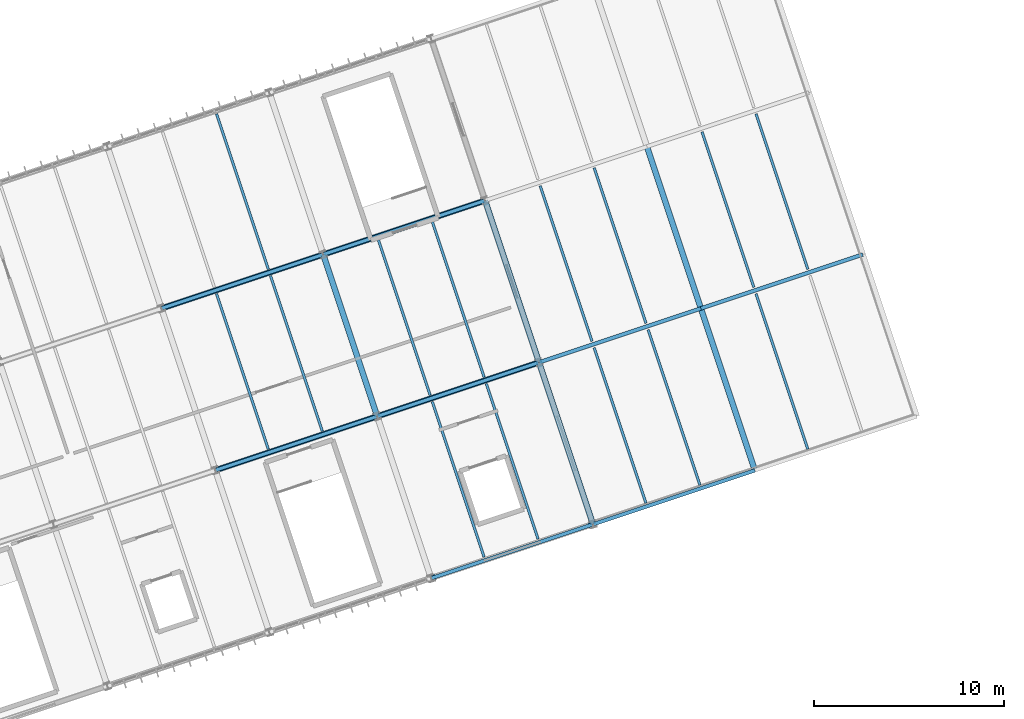
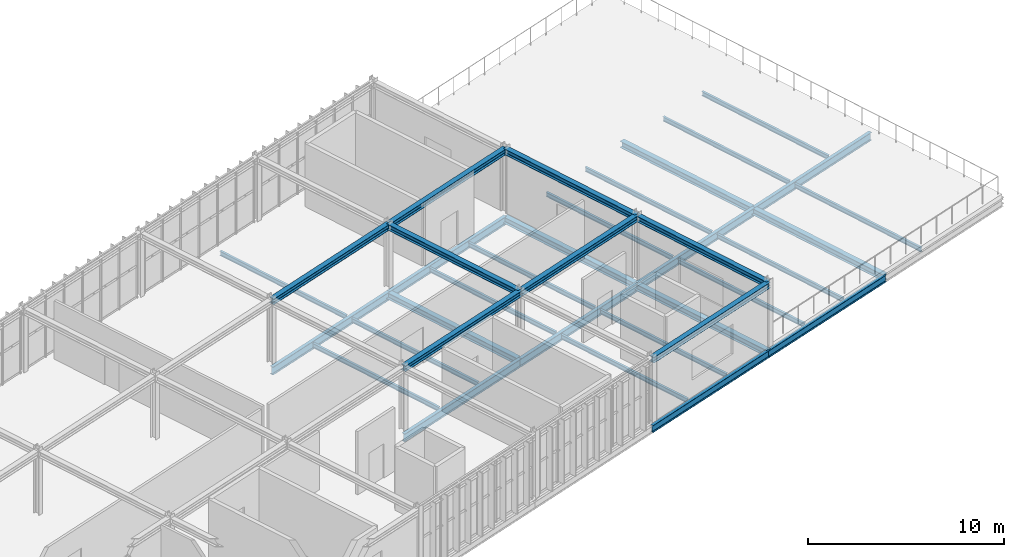
# One storey, part 18 of 61: 35 beams.
"""IFC4 building model written with IfcOpenShell, lengths in metres."""

import ifcopenshell
import ifcopenshell.guid

model = None  # the IFC model being written
_history = None  # IfcOwnerHistory: only IFC2X3 demands one
_inside = {}  # id of a spatial element -> (the spatial element, [elements in it])
_under = {}  # id of a project, library or spatial element -> (it, [spatial elements below it])
_declared = {}  # id of a project -> (the project, [libraries it declares])
_typed = {}  # id of a type object -> (the type object, [elements of that type])
_made_of = {}  # id of a material, layer set ... -> (it, [elements and type objects made of it])


def new_model(schema):
    """Start an empty IFC model of exactly this schema.

    Asked for "IFC4X3", IfcOpenShell would pick the latest addendum, in which some entities
    have other attributes; the version numbers below select the first issue.
    IFC2X3 requires an IfcOwnerHistory on every rooted entity: one is made here for all.
    """
    global model, _history
    if schema == "IFC4X3":
        model = ifcopenshell.file(schema_version=(4, 3, 0, 0))
    else:
        model = ifcopenshell.file(schema=schema)
    _inside.clear()
    _under.clear()
    _declared.clear()
    _typed.clear()
    _made_of.clear()
    _history = None
    if model.schema == "IFC2X3":
        org = make("IfcOrganization", Name="unknown")
        user = make(
            "IfcPersonAndOrganization",
            ThePerson=make("IfcPerson", FamilyName="unknown"),
            TheOrganization=org,
        )
        app = make(
            "IfcApplication",
            ApplicationDeveloper=org,
            Version="unknown",
            ApplicationFullName="unknown",
            ApplicationIdentifier="unknown",
        )
        _history = make(
            "IfcOwnerHistory",
            OwningUser=user,
            OwningApplication=app,
            ChangeAction="ADDED",
            CreationDate=0,
        )
    return model


def make(cls, **values):
    """One entity of the class cls with the attributes given. An attribute that is None is left unset."""
    return model.create_entity(
        cls, **{name: value for name, value in values.items() if value is not None}
    )


def rooted(cls, **values):
    """An entity with a GlobalId (a new one), such as an element, a storey or a relation."""
    return make(cls, GlobalId=ifcopenshell.guid.new(), OwnerHistory=_history, **values)


def si_unit(unit_type, name, prefix=None):
    """IfcSIUnit, for example si_unit("LENGTHUNIT", "METRE", prefix="MILLI")."""
    return make("IfcSIUnit", UnitType=unit_type, Prefix=prefix, Name=name)


def derived_unit(unit_type, elements):
    """IfcDerivedUnit: a product of units, each with its exponent."""
    return make(
        "IfcDerivedUnit",
        Elements=[
            make("IfcDerivedUnitElement", Unit=unit, Exponent=power)
            for unit, power in elements
        ],
        UnitType=unit_type,
    )


def assignment(units):
    """IfcUnitAssignment: the units of a project."""
    return None if units is None else make("IfcUnitAssignment", Units=units)


def point(xyz):
    """IfcCartesianPoint."""
    return None if xyz is None else make("IfcCartesianPoint", Coordinates=xyz)


def direction(xyz):
    """IfcDirection."""
    return None if xyz is None else make("IfcDirection", DirectionRatios=xyz)


def frame(location, z_axis=None, x_axis=None):
    """IfcAxis2Placement3D, a coordinate frame: its origin and axes. An axis left out is left unset."""
    return make(
        "IfcAxis2Placement3D",
        Location=point(location),
        Axis=direction(z_axis),
        RefDirection=direction(x_axis),
    )


def frame_2d(location, x_axis=None):
    """IfcAxis2Placement2D, a coordinate frame in the plane: its origin and x axis."""
    return make(
        "IfcAxis2Placement2D", Location=point(location), RefDirection=direction(x_axis)
    )


def origin():
    """The frame at (0, 0, 0) with its axes left unset."""
    return frame((0.0, 0.0, 0.0))


def origin_2d():
    """The frame at (0, 0) in the plane with its x axis left unset."""
    return frame_2d((0.0, 0.0))


def place(relative_to, where):
    """IfcLocalPlacement: puts the frame where relative to a parent placement (None: the world)."""
    return make(
        "IfcLocalPlacement", PlacementRelTo=relative_to, RelativePlacement=where
    )


def context(
    kind, dimensions, precision=None, world=None, true_north=None, identifier=None
):
    """IfcGeometricRepresentationContext, for example the 3D "Model" context."""
    return make(
        "IfcGeometricRepresentationContext",
        ContextIdentifier=identifier,
        ContextType=kind,
        CoordinateSpaceDimension=dimensions,
        Precision=precision,
        WorldCoordinateSystem=world,
        TrueNorth=true_north,
    )


def subcontext(parent, identifier, kind, view, scale=None):
    """IfcGeometricRepresentationSubContext, for example "Body" below "Model"."""
    return make(
        "IfcGeometricRepresentationSubContext",
        ContextIdentifier=identifier,
        ContextType=kind,
        ParentContext=parent,
        TargetScale=scale,
        TargetView=view,
    )


def project(units=None, contexts=None):
    """IfcProject with its units and contexts."""
    return rooted(
        "IfcProject",
        Name="project",
        RepresentationContexts=contexts,
        UnitsInContext=assignment(units),
    )


def spatial(cls, under=None, at=None, **own):
    """A site, building, storey or space (cls), placed at a placement, below another one or the project."""
    s = rooted(cls, ObjectPlacement=at, **own)
    if under is not None:
        _under.setdefault(under.id(), (under, []))[1].append(s)
    return s


def profile(cls, at=None, kind="AREA", **sizes):
    """A parametric profile (cls). Its sizes go by their IFC names, for example OverallWidth=200.0."""
    return make(cls, ProfileType=kind, Position=at, **sizes)


def i_section(**sizes):
    """IfcIShapeProfileDef."""
    return profile("IfcIShapeProfileDef", **sizes)


def extrude(swept, where, along, depth):
    """IfcExtrudedAreaSolid: the profile swept, set in the frame where, extruded along a direction by depth."""
    return make(
        "IfcExtrudedAreaSolid",
        SweptArea=swept,
        Position=where,
        ExtrudedDirection=direction(along),
        Depth=depth,
    )


def shape(context_of_items, identifier, shape_type, items):
    """IfcShapeRepresentation: the items that make up one representation, for example the "Body"."""
    return make(
        "IfcShapeRepresentation",
        ContextOfItems=context_of_items,
        RepresentationIdentifier=identifier,
        RepresentationType=shape_type,
        Items=items,
    )


def material(Name=None, Category=None):
    """IfcMaterial."""
    return make("IfcMaterial", Name=Name, Category=Category)


def material_profile(
    of_material, cross_section, Name=None, Category=None, Priority=None
):
    """IfcMaterialProfile: a cross section and its material."""
    return make(
        "IfcMaterialProfile",
        Name=Name,
        Material=of_material,
        Profile=cross_section,
        Priority=Priority,
        Category=Category,
    )


def profile_set(profiles, Name=None, composite=None):
    """IfcMaterialProfileSet."""
    return make(
        "IfcMaterialProfileSet",
        Name=Name,
        MaterialProfiles=profiles,
        CompositeProfile=composite,
    )


def made_of(thing, what):
    """Note that an element or type object is made of a material, layer set ...; save() writes the relation."""
    if what is not None:
        _made_of.setdefault(what.id(), (what, []))[1].append(thing)
    return thing


def type_object(cls, material=None, **own):
    """A type object (cls), such as IfcWallType, which elements share."""
    return made_of(rooted(cls, **own), material)


def element(
    cls,
    number,
    at=None,
    inside=None,
    cuts=None,
    type_object=None,
    material=None,
    context=None,
    identifier="Body",
    shape_type=None,
    held_by="IfcProductDefinitionShape",
    body=None,
    shapes=None,
    **own,
):
    """One element of the class cls, such as IfcWall. Its Tag is "e" and its number.

    at: its placement. inside: the storey or other place that contains it. cuts: it is an
    opening in that element (IfcRelVoidsElement). A single representation is given by context,
    identifier, shape_type and body (its items); several are given by shapes. held_by: the class
    of the entity that holds the representations. save() writes the other relations.
    """
    e = rooted(cls, Tag="e%d" % number, ObjectPlacement=at, **own)
    if body is not None:
        shapes = [shape(context, identifier, shape_type, body)]
    if shapes is not None:
        e.Representation = make(held_by, Representations=shapes)
    if inside is not None:
        _inside.setdefault(inside.id(), (inside, []))[1].append(e)
    if cuts is not None:
        rooted(
            "IfcRelVoidsElement", RelatingBuildingElement=cuts, RelatedOpeningElement=e
        )
    if type_object is not None:
        _typed.setdefault(type_object.id(), (type_object, []))[1].append(e)
    return made_of(e, material)


def aggregate(whole, parts):
    """IfcRelAggregates: a whole, such as a stair, and the parts it consists of."""
    return rooted("IfcRelAggregates", RelatingObject=whole, RelatedObjects=parts)


def save(model, path):
    """Write the relations noted so far, then the file.

    IfcRelAggregates (storeys below a building ...), IfcRelContainedInSpatialStructure (elements
    in a storey), IfcRelDefinesByType, IfcRelAssociatesMaterial and IfcRelDeclares: one each for
    every whole, place, type object, material and project.
    """
    for whole, parts in _under.values():
        aggregate(whole, parts)
    for where, things in _inside.values():
        rooted(
            "IfcRelContainedInSpatialStructure",
            RelatedElements=things,
            RelatingStructure=where,
        )
    for kind, things in _typed.values():
        rooted("IfcRelDefinesByType", RelatedObjects=things, RelatingType=kind)
    for what, things in _made_of.values():
        rooted("IfcRelAssociatesMaterial", RelatedObjects=things, RelatingMaterial=what)
    for by, libraries in _declared.values():
        rooted("IfcRelDeclares", RelatingContext=by, RelatedDefinitions=libraries)
    model.write(path)


model = new_model("IFC4")

# Units and contexts
model_context = context("Model", 3, precision=1e-05, world=origin(), true_north=direction((0.0, 1.0)))
body_context = subcontext(model_context, "Body", "Model", "MODEL_VIEW")
ifc_project = project(units=[si_unit("LENGTHUNIT", "METRE"), si_unit("AREAUNIT", "SQUARE_METRE"), si_unit("VOLUMEUNIT", "CUBIC_METRE"), si_unit("PLANEANGLEUNIT", "RADIAN"), si_unit("MASSUNIT", "GRAM", prefix="KILO"), si_unit("THERMODYNAMICTEMPERATUREUNIT", "KELVIN"), si_unit("TIMEUNIT", "SECOND"), derived_unit("THERMALTRANSMITTANCEUNIT", [(si_unit("MASSUNIT", "GRAM", prefix="KILO"), 1), (si_unit("THERMODYNAMICTEMPERATUREUNIT", "KELVIN"), -1), (si_unit("TIMEUNIT", "SECOND"), -3)])], contexts=[model_context])

# Site, building, storey
site_placement = place(None, origin())
site = spatial("IfcSite", under=ifc_project, at=site_placement, CompositionType="ELEMENT")
building_placement = place(site_placement, origin())
building = spatial("IfcBuilding", under=site, at=building_placement, Name="Cambertide Market Hall", CompositionType="ELEMENT")
storey_placement = place(building_placement, frame((0.0, 0.0, 9.89990234375)))
storey = spatial("IfcBuildingStorey", under=building, at=storey_placement, Name="L03", CompositionType="ELEMENT", Elevation=9.89990234375)

# Beams
ifc_material_1 = material(Name="Steel S355", Category="steel")
ifc_material_profile_1 = material_profile(ifc_material_1, i_section(OverallWidth=0.300048828125, OverallDepth=0.360107421875, WebThickness=0.012451171875, FlangeThickness=0.0224609375, FilletRadius=0.027099609375, at=origin_2d()), Name="HEB 360")
ifc_profile_set_1 = profile_set([ifc_material_profile_1], Name="Steel S355")
beam_type_1 = type_object("IfcBeamType", Name="Exterior Steel Girder HEB 360", PredefinedType="BEAM", material=ifc_profile_set_1)
beam_1_placement = place(storey_placement, frame((128.768310546875, 29.076416015625, 3.820068359375), z_axis=(0.948688723175, 0.316211490179, 0.0), x_axis=(-0.316211490179, 0.948688723175, 0.0)))
element("IfcBeam", 1, at=beam_1_placement, inside=storey, type_object=beam_type_1, Name="Level 3 Beam BM-V3U-RF-4-2", PredefinedType="BEAM", context=body_context, shape_type="SweptSolid", body=[
    extrude(i_section(OverallWidth=0.300048828125, OverallDepth=0.360107421875, WebThickness=0.012451171875, FlangeThickness=0.0224609375, FilletRadius=0.027099609375, at=origin_2d()), origin(), (0.0, 0.0, 1.0), 9.000244140625),
])
for number, where, z_axis, x_axis, name in (
    (2, (125.92236328125, 37.614501953125, 3.820068359375), (0.948686010717, 0.3162196279, 0.0), (-0.3162196279, 0.948686010717, 0.0), "Level 3 Beam BM-V3U-RF-4-3"),
    (3, (140.152587890625, 23.38427734375, 3.820068359375), (0.948686010717, 0.3162196279, 0.0), (-0.3162196279, 0.948686010717, 0.0), "Level 3 Beam BM-V3U-RF-5-1"),
    (4, (137.306640625, 31.92236328125, 3.820068359375), (0.948686010717, 0.3162196279, 0.0), (-0.3162196279, 0.948686010717, 0.0), "Level 3 Beam BM-V3U-RF-5-2"),
    (5, (134.46044921875, 40.46044921875, 3.820068359375), (0.948677872554, 0.31624404204, 0.0), (-0.31624404204, 0.948677872554, 0.0), "Level 3 Beam BM-V3U-RF-5-3"),
    (6, (137.306640625, 31.92236328125, 3.820068359375), (-0.31624404204, 0.948677872554, 0.0), (-0.948677872554, -0.31624404204, 0.0), "Level 3 Beam BM-V3V-RF-5-2"),
    (7, (148.690673828125, 26.230224609375, 3.820068359375), (-0.3162196279, 0.948686010717, 0.0), (-0.948686010717, -0.3162196279, 0.0), "Level 3 Beam BM-V3V-RF-6-1"),
):
    element("IfcBeam", number, at=place(storey_placement, frame(where, z_axis=z_axis, x_axis=x_axis)), inside=storey, type_object=beam_type_1, Name=name, PredefinedType="BEAM", context=body_context, shape_type="SweptSolid", body=[
        extrude(i_section(OverallWidth=0.300048828125, OverallDepth=0.360107421875, WebThickness=0.012451171875, FlangeThickness=0.0224609375, FilletRadius=0.027099609375, at=origin_2d()), origin(), (0.0, 0.0, 1.0), 9.0),
    ])
beam_2_placement = place(storey_placement, frame((145.8447265625, 34.768310546875, 3.820068359375), z_axis=(-0.316235903831, 0.948680585407, 0.0), x_axis=(-0.948680585407, -0.316235903831, 0.0)))
element("IfcBeam", 8, at=beam_2_placement, inside=storey, type_object=beam_type_1, Name="Level 3 Beam BM-V3V-RF-6-2", PredefinedType="BEAM", context=body_context, shape_type="SweptSolid", body=[
    extrude(i_section(OverallWidth=0.300048828125, OverallDepth=0.360107421875, WebThickness=0.012451171875, FlangeThickness=0.0224609375, FilletRadius=0.027099609375, at=origin_2d()), origin(), (0.0, 0.0, 1.0), 9.000244140625),
])
ifc_material_2 = material(Name="Steel S355", Category="steel")
ifc_material_profile_2 = material_profile(ifc_material_2, i_section(OverallWidth=0.18994140625, OverallDepth=0.449951171875, WebThickness=0.009521484375, FlangeThickness=0.0146484375, FilletRadius=0.02099609375, at=origin_2d()), Name="IPE 450")
ifc_profile_set_2 = profile_set([ifc_material_profile_2], Name="Steel S355")
beam_type_2 = type_object("IfcBeamType", Name="Perimeter Spandrel Beam IPE 450", PredefinedType="SPANDREL", material=ifc_profile_set_2)
beam_3_placement = place(storey_placement, frame((140.152587890625, 23.38427734375, -0.5), z_axis=(0.948686010717, 0.3162196279, 0.0), x_axis=(-0.3162196279, 0.948686010717, 0.0)))
element("IfcBeam", 9, at=beam_3_placement, inside=storey, type_object=beam_type_2, Name="Level 3 Spandrel BM-V3U-L03-5-1", PredefinedType="SPANDREL", context=body_context, shape_type="SweptSolid", body=[
    extrude(i_section(OverallWidth=0.18994140625, OverallDepth=0.449951171875, WebThickness=0.009521484375, FlangeThickness=0.0146484375, FilletRadius=0.02099609375, at=origin_2d()), origin(), (0.0, 0.0, 1.0), 9.0),
])
beam_4_placement = place(storey_placement, frame((148.690673828125, 26.230224609375, -0.5), z_axis=(0.948680585407, 0.316235903831, 0.0), x_axis=(-0.316235903831, 0.948680585407, 0.0)))
element("IfcBeam", 10, at=beam_4_placement, inside=storey, type_object=beam_type_2, Name="Level 3 Spandrel BM-V3U-L03-6-1", PredefinedType="SPANDREL", context=body_context, shape_type="SweptSolid", body=[
    extrude(i_section(OverallWidth=0.18994140625, OverallDepth=0.449951171875, WebThickness=0.009521484375, FlangeThickness=0.0146484375, FilletRadius=0.02099609375, at=origin_2d()), origin(), (0.0, 0.0, 1.0), 9.000244140625),
])
ifc_material_3 = material(Name="Steel S355", Category="steel")
ifc_material_profile_3 = material_profile(ifc_material_3, i_section(OverallWidth=0.300048828125, OverallDepth=0.39990234375, WebThickness=0.013427734375, FlangeThickness=0.02392578125, FilletRadius=0.027099609375, at=origin_2d()), Name="HEB 400")
ifc_profile_set_3 = profile_set([ifc_material_profile_3], Name="Steel S355")
beam_type_3 = type_object("IfcBeamType", Name="Steel Girder HEB 400", PredefinedType="BEAM", material=ifc_profile_set_3)
for number, where, z_axis, x_axis, name in (
    (11, (137.306640625, 31.92236328125, -0.474853515625), (-0.31624404204, 0.948677872554, 0.0), (-0.948677872554, -0.31624404204, 0.0), "Level 3 Beam BM-V3V-L03-5-2"),
    (12, (148.690673828125, 26.230224609375, -0.474853515625), (-0.3162196279, 0.948686010717, 0.0), (-0.948686010717, -0.3162196279, 0.0), "Level 3 Beam BM-V3V-L03-6-1"),
):
    element("IfcBeam", number, at=place(storey_placement, frame(where, z_axis=z_axis, x_axis=x_axis)), inside=storey, type_object=beam_type_3, Name=name, PredefinedType="BEAM", context=body_context, shape_type="SweptSolid", body=[
        extrude(i_section(OverallWidth=0.300048828125, OverallDepth=0.39990234375, WebThickness=0.013427734375, FlangeThickness=0.02392578125, FilletRadius=0.027099609375, at=origin_2d()), origin(), (0.0, 0.0, 1.0), 9.0),
    ])
beam_5_placement = place(storey_placement, frame((145.8447265625, 34.768310546875, -0.474853515625), z_axis=(-0.316235903831, 0.948680585407, 0.0), x_axis=(-0.948680585407, -0.316235903831, 0.0)))
element("IfcBeam", 13, at=beam_5_placement, inside=storey, type_object=beam_type_3, Name="Level 3 Beam BM-V3V-L03-6-2", PredefinedType="BEAM", context=body_context, shape_type="SweptSolid", body=[
    extrude(i_section(OverallWidth=0.300048828125, OverallDepth=0.39990234375, WebThickness=0.013427734375, FlangeThickness=0.02392578125, FilletRadius=0.027099609375, at=origin_2d()), origin(), (0.0, 0.0, 1.0), 9.000244140625),
])
for number, where, z_axis, x_axis, name in (
    (14, (157.22900390625, 29.076416015625, -0.474853515625), (-0.31624404204, 0.948677872554, 0.0), (-0.948677872554, -0.31624404204, 0.0), "Level 3 Beam BM-V3V-L03-7-1"),
    (15, (154.3828125, 37.614501953125, -0.474853515625), (-0.3162196279, 0.948686010717, 0.0), (-0.948686010717, -0.3162196279, 0.0), "Level 3 Beam BM-V3V-L03-7-2"),
):
    element("IfcBeam", number, at=place(storey_placement, frame(where, z_axis=z_axis, x_axis=x_axis)), inside=storey, type_object=beam_type_3, Name=name, PredefinedType="BEAM", context=body_context, shape_type="SweptSolid", body=[
        extrude(i_section(OverallWidth=0.300048828125, OverallDepth=0.39990234375, WebThickness=0.013427734375, FlangeThickness=0.02392578125, FilletRadius=0.027099609375, at=origin_2d()), origin(), (0.0, 0.0, 1.0), 9.0),
    ])
ifc_material_4 = material(Name="Steel S355", Category="steel")
ifc_material_profile_4 = material_profile(ifc_material_4, i_section(OverallWidth=0.199951171875, OverallDepth=0.5, WebThickness=0.01025390625, FlangeThickness=0.01611328125, FilletRadius=0.02099609375, at=origin_2d()), Name="IPE 500")
ifc_profile_set_4 = profile_set([ifc_material_profile_4], Name="Steel S355")
beam_type_4 = type_object("IfcBeamType", Name="Steel Girder IPE 500", PredefinedType="BEAM", material=ifc_profile_set_4)
beam_6_placement = place(storey_placement, frame((128.768310546875, 29.076416015625, -0.52490234375), z_axis=(0.948688723175, 0.316211490179, 0.0), x_axis=(-0.316211490179, 0.948688723175, 0.0)))
element("IfcBeam", 16, at=beam_6_placement, inside=storey, type_object=beam_type_4, Name="Level 3 Beam BM-V3U-L03-4-2", PredefinedType="BEAM", context=body_context, shape_type="SweptSolid", body=[
    extrude(i_section(OverallWidth=0.199951171875, OverallDepth=0.5, WebThickness=0.01025390625, FlangeThickness=0.01611328125, FilletRadius=0.02099609375, at=origin_2d()), origin(), (0.0, 0.0, 1.0), 9.000244140625),
])
for number, where, z_axis, x_axis, name in (
    (17, (125.92236328125, 37.614501953125, -0.52490234375), (0.948686010717, 0.3162196279, 0.0), (-0.3162196279, 0.948686010717, 0.0), "Level 3 Beam BM-V3U-L03-4-3"),
    (18, (137.306640625, 31.92236328125, -0.52490234375), (0.948686010717, 0.3162196279, 0.0), (-0.3162196279, 0.948686010717, 0.0), "Level 3 Beam BM-V3U-L03-5-2"),
    (19, (134.46044921875, 40.46044921875, -0.52490234375), (0.948677872554, 0.31624404204, 0.0), (-0.31624404204, 0.948677872554, 0.0), "Level 3 Beam BM-V3U-L03-5-3"),
    (20, (145.8447265625, 34.768310546875, -0.52490234375), (0.948677872554, 0.31624404204, 0.0), (-0.31624404204, 0.948677872554, 0.0), "Level 3 Beam BM-V3U-L03-6-2"),
    (21, (154.3828125, 37.614501953125, -0.52490234375), (0.948686010717, 0.3162196279, 0.0), (-0.3162196279, 0.948686010717, 0.0), "Level 3 Beam BM-V3U-L03-7-2"),
):
    element("IfcBeam", number, at=place(storey_placement, frame(where, z_axis=z_axis, x_axis=x_axis)), inside=storey, type_object=beam_type_4, Name=name, PredefinedType="BEAM", context=body_context, shape_type="SweptSolid", body=[
        extrude(i_section(OverallWidth=0.199951171875, OverallDepth=0.5, WebThickness=0.01025390625, FlangeThickness=0.01611328125, FilletRadius=0.02099609375, at=origin_2d()), origin(), (0.0, 0.0, 1.0), 9.0),
    ])
ifc_material_5 = material(Name="Steel S275", Category="steel")
ifc_material_profile_5 = material_profile(ifc_material_5, i_section(OverallWidth=0.135009765625, OverallDepth=0.27001953125, WebThickness=0.006591796875, FlangeThickness=0.01025390625, FilletRadius=0.014892578125, at=origin_2d()), Name="IPE 270")
ifc_profile_set_5 = profile_set([ifc_material_profile_5], Name="Steel S275")
beam_type_5 = type_object("IfcBeamType", Name="Steel Secondary Joist IPE 270", PredefinedType="JOIST", material=ifc_profile_set_5)
for number, where, z_axis, x_axis, name in (
    (22, (131.5576171875, 30.19580078125, -0.409912109375), (-0.316227766017, 0.948683298051, 0.0), (-0.948683298051, -0.316227766017, 0.0), "Level 3 Joist JS-V3-L03-4-2-1"),
    (23, (134.403564453125, 31.14453125, -0.409912109375), (-0.316227766017, 0.948683298051, 0.0), (-0.948683298051, -0.316227766017, 0.0), "Level 3 Joist JS-V3-L03-4-2-2"),
    (24, (131.5576171875, 39.6826171875, -0.409912109375), (-0.316227766017, 0.948683298051, 0.0), (-0.948683298051, -0.316227766017, 0.0), "Level 3 Joist JS-V3-L03-4-3-2"),
    (25, (142.941650390625, 24.503662109375, -0.409912109375), (-0.316227766017, 0.948683298051, 0.0), (-0.948683298051, -0.316227766017, 0.0), "Level 3 Joist JS-V3-L03-5-1-1"),
    (26, (145.787841796875, 25.452392578125, -0.409912109375), (-0.316227766017, 0.948683298051, 0.0), (-0.948683298051, -0.316227766017, 0.0), "Level 3 Joist JS-V3-L03-5-1-2"),
):
    element("IfcBeam", number, at=place(storey_placement, frame(where, z_axis=z_axis, x_axis=x_axis)), inside=storey, type_object=beam_type_5, Name=name, PredefinedType="JOIST", context=body_context, shape_type="SweptSolid", body=[
        extrude(i_section(OverallWidth=0.135009765625, OverallDepth=0.27001953125, WebThickness=0.006591796875, FlangeThickness=0.01025390625, FilletRadius=0.014892578125, at=origin_2d()), origin(), (0.0, 0.0, 1.0), 8.639892578125),
    ])
beam_7_placement = place(storey_placement, frame((140.095703125, 33.041748046875, -0.409912109375), z_axis=(-0.316219289033, 0.94868612367, 0.0), x_axis=(-0.94868612367, -0.316219289033, 0.0)))
element("IfcBeam", 27, at=beam_7_placement, inside=storey, type_object=beam_type_5, Name="Level 3 Joist JS-V3-L03-5-2-1", PredefinedType="JOIST", context=body_context, shape_type="SweptSolid", body=[
    extrude(i_section(OverallWidth=0.135009765625, OverallDepth=0.27001953125, WebThickness=0.006591796875, FlangeThickness=0.01025390625, FilletRadius=0.014892578125, at=origin_2d()), origin(), (0.0, 0.0, 1.0), 8.64013671875),
])
beam_8_placement = place(storey_placement, frame((142.941650390625, 33.990478515625, -0.409912109375), z_axis=(-0.316227766017, 0.948683298051, 0.0), x_axis=(-0.948683298051, -0.316227766017, 0.0)))
element("IfcBeam", 28, at=beam_8_placement, inside=storey, type_object=beam_type_5, Name="Level 3 Joist JS-V3-L03-5-2-2", PredefinedType="JOIST", context=body_context, shape_type="SweptSolid", body=[
    extrude(i_section(OverallWidth=0.135009765625, OverallDepth=0.27001953125, WebThickness=0.006591796875, FlangeThickness=0.01025390625, FilletRadius=0.014892578125, at=origin_2d()), origin(), (0.0, 0.0, 1.0), 8.639892578125),
])
for number, where, z_axis, x_axis, name in (
    (29, (151.47998046875, 27.349609375, -0.409912109375), (-0.316244719758, 0.948677646635, 0.0), (-0.948677646635, -0.316244719758, 0.0), "Level 3 Joist JS-V3-L03-6-1-1"),
    (30, (154.325927734375, 28.29833984375, -0.409912109375), (-0.316219289033, 0.94868612367, 0.0), (-0.94868612367, -0.316219289033, 0.0), "Level 3 Joist JS-V3-L03-6-1-2"),
):
    element("IfcBeam", number, at=place(storey_placement, frame(where, z_axis=z_axis, x_axis=x_axis)), inside=storey, type_object=beam_type_5, Name=name, PredefinedType="JOIST", context=body_context, shape_type="SweptSolid", body=[
        extrude(i_section(OverallWidth=0.135009765625, OverallDepth=0.27001953125, WebThickness=0.006591796875, FlangeThickness=0.01025390625, FilletRadius=0.014892578125, at=origin_2d()), origin(), (0.0, 0.0, 1.0), 8.64013671875),
    ])
beam_9_placement = place(storey_placement, frame((148.6337890625, 35.887939453125, -0.409912109375), z_axis=(-0.316227766017, 0.948683298051, 0.0), x_axis=(-0.948683298051, -0.316227766017, 0.0)))
element("IfcBeam", 31, at=beam_9_placement, inside=storey, type_object=beam_type_5, Name="Level 3 Joist JS-V3-L03-6-2-1", PredefinedType="JOIST", context=body_context, shape_type="SweptSolid", body=[
    extrude(i_section(OverallWidth=0.135009765625, OverallDepth=0.27001953125, WebThickness=0.006591796875, FlangeThickness=0.01025390625, FilletRadius=0.014892578125, at=origin_2d()), origin(), (0.0, 0.0, 1.0), 8.639892578125),
])
beam_10_placement = place(storey_placement, frame((151.47998046875, 36.83642578125, -0.409912109375), z_axis=(-0.316244719758, 0.948677646635, 0.0), x_axis=(-0.948677646635, -0.316244719758, 0.0)))
element("IfcBeam", 32, at=beam_10_placement, inside=storey, type_object=beam_type_5, Name="Level 3 Joist JS-V3-L03-6-2-2", PredefinedType="JOIST", context=body_context, shape_type="SweptSolid", body=[
    extrude(i_section(OverallWidth=0.135009765625, OverallDepth=0.27001953125, WebThickness=0.006591796875, FlangeThickness=0.01025390625, FilletRadius=0.014892578125, at=origin_2d()), origin(), (0.0, 0.0, 1.0), 8.64013671875),
])
for number, where, z_axis, x_axis, name in (
    (33, (160.01806640625, 30.19580078125, -0.409912109375), (-0.316227766017, 0.948683298051, 0.0), (-0.948683298051, -0.316227766017, 0.0), "Level 3 Joist JS-V3-L03-7-1-1"),
    (34, (157.171875, 38.73388671875, -0.409912109375), (-0.316227766017, 0.948683298051, 0.0), (-0.948683298051, -0.316227766017, 0.0), "Level 3 Joist JS-V3-L03-7-2-1"),
    (35, (160.01806640625, 39.6826171875, -0.409912109375), (-0.316227766017, 0.948683298051, 0.0), (-0.948683298051, -0.316227766017, 0.0), "Level 3 Joist JS-V3-L03-7-2-2"),
):
    element("IfcBeam", number, at=place(storey_placement, frame(where, z_axis=z_axis, x_axis=x_axis)), inside=storey, type_object=beam_type_5, Name=name, PredefinedType="JOIST", context=body_context, shape_type="SweptSolid", body=[
        extrude(i_section(OverallWidth=0.135009765625, OverallDepth=0.27001953125, WebThickness=0.006591796875, FlangeThickness=0.01025390625, FilletRadius=0.014892578125, at=origin_2d()), origin(), (0.0, 0.0, 1.0), 8.639892578125),
    ])

save(model, "model.ifc")
